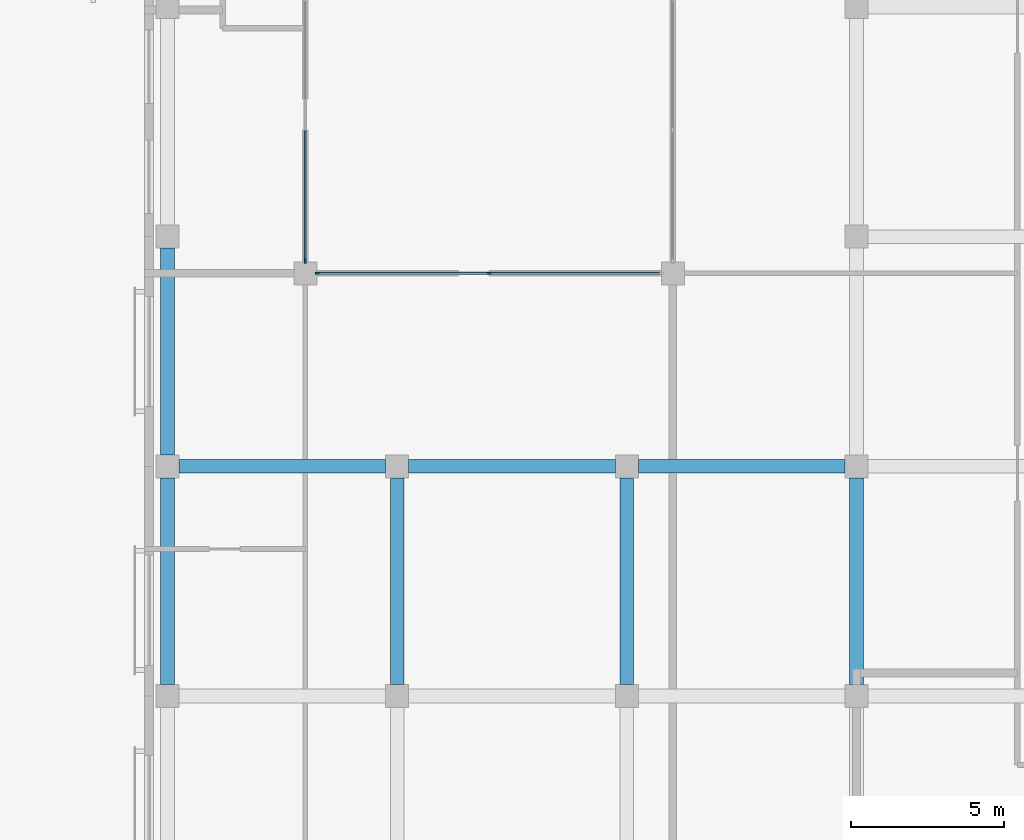
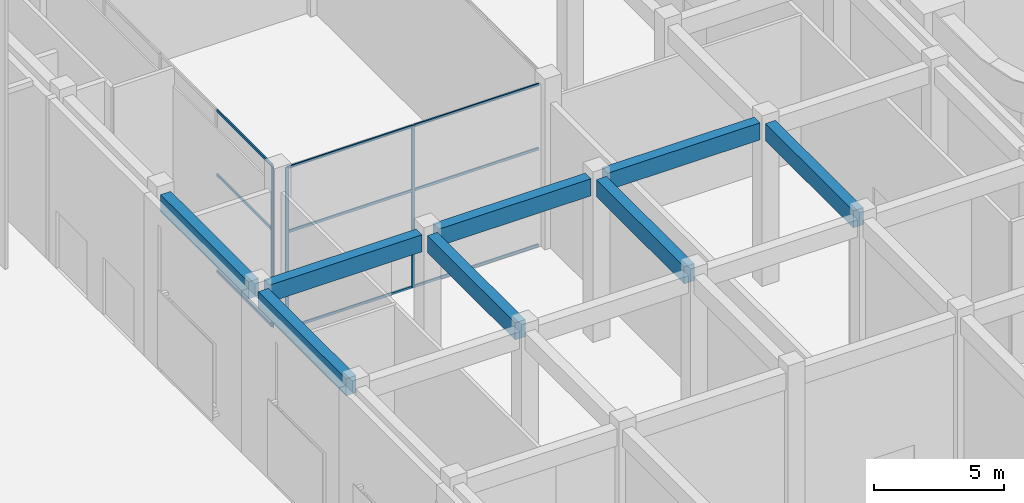
# One storey, part 7 of 64: 12 members, 8 beams, 2 elements without a shape of their own.
"""IFC4 building model written with IfcOpenShell, lengths in metres."""

from ifc_helpers import new_model, si_unit, direction, frame, origin, origin_2d, place, context, subcontext, project, spatial, rectangle, extrude, material, layer, layer_set, material_profile, profile_set, type_object, element, aggregate, save


model = new_model("IFC4")

# Units and contexts
model_context = context("Model", 3, precision=1e-05, world=origin(), true_north=direction((0.0, 1.0)))
body_context = subcontext(model_context, "Body", "Model", "MODEL_VIEW")
ifc_project = project(units=[si_unit("LENGTHUNIT", "METRE"), si_unit("AREAUNIT", "SQUARE_METRE"), si_unit("VOLUMEUNIT", "CUBIC_METRE"), si_unit("PLANEANGLEUNIT", "RADIAN"), si_unit("MASSUNIT", "GRAM", prefix="KILO")], contexts=[model_context])

# Site, building, storey
site_placement = place(None, origin())
site = spatial("IfcSite", under=ifc_project, at=site_placement, CompositionType="ELEMENT")
building_placement = place(site_placement, origin())
building = spatial("IfcBuilding", under=site, at=building_placement, Name="Tessera Arch", CompositionType="ELEMENT")
storey_placement = place(building_placement, origin())
storey = spatial("IfcBuildingStorey", under=building, at=storey_placement, Name="L00", CompositionType="ELEMENT", Elevation=0.0)

# Curtain wall, members
ifc_material_1 = material(Name="Aluminium and clear glass", Category="aluminium")
ifc_layer = layer(ifc_material_1, 0.1201171875)
ifc_layer_set = layer_set([ifc_layer], Name="Courtyard curtain wall")
curtain_wall_type = type_object("IfcCurtainWallType", Name="Courtyard curtain wall", PredefinedType="NOTDEFINED", material=ifc_layer_set)
curtain_wall_1_placement = place(storey_placement, origin())
curtain_wall_1 = element("IfcCurtainWall", 1, at=curtain_wall_1_placement, inside=storey, type_object=curtain_wall_type, Name="Courtyard curtain wall L00 1", PredefinedType="NOTDEFINED")
ifc_material_2 = material(Name="Aluminium alloy anodised", Category="aluminium")
ifc_material_profile_1 = material_profile(ifc_material_2, rectangle(XDim=0.06005859375, YDim=0.14990234375, at=origin_2d()), Name="Courtyard mullion")
ifc_profile_set_1 = profile_set([ifc_material_profile_1], Name="Aluminium alloy anodised")
member_type_1 = type_object("IfcMemberType", Name="Courtyard mullion", PredefinedType="MULLION", material=ifc_profile_set_1)
member_1_placement = place(storey_placement, frame((-26.89501953125, 12.0, 0.0), z_axis=(0.0, 0.0, 1.0), x_axis=(0.0, 1.0, 0.0)))
member_1 = element("IfcMember", 2, at=member_1_placement, type_object=member_type_1, Name="MCW1 mullion 1", PredefinedType="MULLION", context=body_context, shape_type="SweptSolid", body=[
    extrude(rectangle(XDim=0.06005859375, YDim=0.14990234375, at=origin_2d()), origin(), (0.0, 0.0, 1.0), 7.590087890625),
])
member_2_placement = place(storey_placement, frame((-21.300048828125, 12.0, 0.0), z_axis=(0.0, 0.0, 1.0), x_axis=(0.0, 1.0, 0.0)))
member_2 = element("IfcMember", 3, at=member_2_placement, type_object=member_type_1, Name="MCW1 mullion 2", PredefinedType="MULLION", context=body_context, shape_type="SweptSolid", body=[
    extrude(rectangle(XDim=0.06005859375, YDim=0.14990234375, at=origin_2d()), origin(), (0.0, 0.0, 1.0), 7.590087890625),
])

# Curtain wall, member
curtain_wall_2_placement = place(storey_placement, origin())
curtain_wall_2 = element("IfcCurtainWall", 4, at=curtain_wall_2_placement, inside=storey, type_object=curtain_wall_type, Name="Courtyard curtain wall L00 4", PredefinedType="NOTDEFINED")
member_3_placement = place(storey_placement, frame((-27.300048828125, 12.405029296875, 0.0), z_axis=(0.0, 0.0, 1.0), x_axis=(1.0, 0.0, 0.0)))
member_3 = element("IfcMember", 5, at=member_3_placement, type_object=member_type_1, Name="MCW1 mullion 5", PredefinedType="MULLION", context=body_context, shape_type="SweptSolid", body=[
    extrude(rectangle(XDim=0.06005859375, YDim=0.14990234375, at=origin_2d()), origin(), (0.0, 0.0, 1.0), 7.590087890625),
])

# Member
ifc_material_3 = material(Name="Aluminium alloy anodised", Category="aluminium")
ifc_material_profile_2 = material_profile(ifc_material_3, rectangle(XDim=0.06005859375, YDim=0.1201171875, at=origin_2d()), Name="Courtyard transom")
ifc_profile_set_2 = profile_set([ifc_material_profile_2], Name="Aluminium alloy anodised")
member_type_2 = type_object("IfcMemberType", Name="Courtyard transom", PredefinedType="USERDEFINED", material=ifc_profile_set_2)
member_4_placement = place(storey_placement, frame((-26.864990234375, 12.0, 0.030029296875), z_axis=(1.0, 0.0, 0.0), x_axis=(0.0, 1.0, 0.0)))
member_4 = element("IfcMember", 6, at=member_4_placement, type_object=member_type_2, Name="MCW1 transom 1.1", ObjectType="TRANSOM", PredefinedType="USERDEFINED", context=body_context, shape_type="SweptSolid", body=[
    extrude(rectangle(XDim=0.06005859375, YDim=0.1201171875, at=origin_2d()), origin(), (0.0, 0.0, 1.0), 5.534912109375),
])

member_5_placement = place(storey_placement, frame((-26.864990234375, 12.0, 4.553955078125), z_axis=(1.0, 0.0, 0.0), x_axis=(0.0, 1.0, 0.0)))
member_5 = element("IfcMember", 7, at=member_5_placement, type_object=member_type_2, Name="MCW1 transom 1.2", ObjectType="TRANSOM", PredefinedType="USERDEFINED", context=body_context, shape_type="SweptSolid", body=[
    extrude(rectangle(XDim=0.06005859375, YDim=0.1201171875, at=origin_2d()), origin(), (0.0, 0.0, 1.0), 5.534912109375),
])

member_6_placement = place(storey_placement, frame((-26.864990234375, 12.0, 7.56005859375), z_axis=(1.0, 0.0, 0.0), x_axis=(0.0, 1.0, 0.0)))
member_6 = element("IfcMember", 8, at=member_6_placement, type_object=member_type_2, Name="MCW1 transom 1.3", ObjectType="TRANSOM", PredefinedType="USERDEFINED", context=body_context, shape_type="SweptSolid", body=[
    extrude(rectangle(XDim=0.06005859375, YDim=0.1201171875, at=origin_2d()), origin(), (0.0, 0.0, 1.0), 5.534912109375),
])

member_7_placement = place(storey_placement, frame((-21.27001953125, 12.0, 0.030029296875), z_axis=(1.0, 0.0, 0.0), x_axis=(0.0, 1.0, 0.0)))
member_7 = element("IfcMember", 9, at=member_7_placement, type_object=member_type_2, Name="MCW1 transom 2.1", ObjectType="TRANSOM", PredefinedType="USERDEFINED", context=body_context, shape_type="SweptSolid", body=[
    extrude(rectangle(XDim=0.06005859375, YDim=0.1201171875, at=origin_2d()), origin(), (0.0, 0.0, 1.0), 5.534912109375),
])

member_8_placement = place(storey_placement, frame((-21.27001953125, 12.0, 4.553955078125), z_axis=(1.0, 0.0, 0.0), x_axis=(0.0, 1.0, 0.0)))
member_8 = element("IfcMember", 10, at=member_8_placement, type_object=member_type_2, Name="MCW1 transom 2.2", ObjectType="TRANSOM", PredefinedType="USERDEFINED", context=body_context, shape_type="SweptSolid", body=[
    extrude(rectangle(XDim=0.06005859375, YDim=0.1201171875, at=origin_2d()), origin(), (0.0, 0.0, 1.0), 5.534912109375),
])

member_9_placement = place(storey_placement, frame((-21.27001953125, 12.0, 7.56005859375), z_axis=(1.0, 0.0, 0.0), x_axis=(0.0, 1.0, 0.0)))
member_9 = element("IfcMember", 11, at=member_9_placement, type_object=member_type_2, Name="MCW1 transom 2.3", ObjectType="TRANSOM", PredefinedType="USERDEFINED", context=body_context, shape_type="SweptSolid", body=[
    extrude(rectangle(XDim=0.06005859375, YDim=0.1201171875, at=origin_2d()), origin(), (0.0, 0.0, 1.0), 5.534912109375),
])

aggregate(curtain_wall_1, [member_1, member_2, member_4, member_5, member_6, member_7, member_8, member_9])

member_10_placement = place(storey_placement, frame((-27.300048828125, 16.657470703125, 0.030029296875), z_axis=(0.0, -1.0, 0.0), x_axis=(1.0, 0.0, 0.0)))
member_10 = element("IfcMember", 12, at=member_10_placement, type_object=member_type_2, Name="MCW1 transom 4.1", ObjectType="TRANSOM", PredefinedType="USERDEFINED", context=body_context, shape_type="SweptSolid", body=[
    extrude(rectangle(XDim=0.06005859375, YDim=0.1201171875, at=origin_2d()), origin(), (0.0, 0.0, 1.0), 4.222412109375),
])

member_11_placement = place(storey_placement, frame((-27.300048828125, 16.657470703125, 4.553955078125), z_axis=(0.0, -1.0, 0.0), x_axis=(1.0, 0.0, 0.0)))
member_11 = element("IfcMember", 13, at=member_11_placement, type_object=member_type_2, Name="MCW1 transom 4.2", ObjectType="TRANSOM", PredefinedType="USERDEFINED", context=body_context, shape_type="SweptSolid", body=[
    extrude(rectangle(XDim=0.06005859375, YDim=0.1201171875, at=origin_2d()), origin(), (0.0, 0.0, 1.0), 4.222412109375),
])

member_12_placement = place(storey_placement, frame((-27.300048828125, 16.657470703125, 7.56005859375), z_axis=(0.0, -1.0, 0.0), x_axis=(1.0, 0.0, 0.0)))
member_12 = element("IfcMember", 14, at=member_12_placement, type_object=member_type_2, Name="MCW1 transom 4.3", ObjectType="TRANSOM", PredefinedType="USERDEFINED", context=body_context, shape_type="SweptSolid", body=[
    extrude(rectangle(XDim=0.06005859375, YDim=0.1201171875, at=origin_2d()), origin(), (0.0, 0.0, 1.0), 4.222412109375),
])

aggregate(curtain_wall_2, [member_3, member_10, member_11, member_12])

# Beams
ifc_material_4 = material(Name="Concrete C40/50", Category="concrete")
ifc_material_profile_3 = material_profile(ifc_material_4, rectangle(XDim=0.449951171875, YDim=0.800048828125, at=origin_2d()), Name="Museum beam 450 x 800 Concrete C40/50")
ifc_profile_set_3 = profile_set([ifc_material_profile_3], Name="Concrete C40/50")
beam_type = type_object("IfcBeamType", Name="Museum beam 450 x 800 Concrete C40/50", PredefinedType="BEAM", material=ifc_profile_set_3)
for number, where, z_axis, x_axis, name in (
    (15, (-31.800048828125, -1.425048828125, 7.18994140625), (0.0, 1.0, 0.0), (-1.0, 0.0, 0.0), "Museum beam L00 4"),
    (16, (-31.800048828125, 6.074951171875, 7.18994140625), (0.0, 1.0, 0.0), (-1.0, 0.0, 0.0), "Museum beam L00 5"),
    (17, (-24.300048828125, -1.425048828125, 7.18994140625), (0.0, 1.0, 0.0), (-1.0, 0.0, 0.0), "Museum beam L00 12"),
    (18, (-16.800048828125, -1.425048828125, 7.18994140625), (0.0, 1.0, 0.0), (-1.0, 0.0, 0.0), "Museum beam L00 17"),
    (19, (-9.300048828125, -1.425048828125, 7.18994140625), (0.0, 1.0, 0.0), (-1.0, 0.0, 0.0), "Museum beam L00 26"),
    (20, (-31.425048828125, 5.699951171875, 7.18994140625), (1.0, 0.0, 0.0), (0.0, 1.0, 0.0), "Museum beam L00 69"),
    (21, (-23.925048828125, 5.699951171875, 7.18994140625), (1.0, 0.0, 0.0), (0.0, 1.0, 0.0), "Museum beam L00 70"),
    (22, (-16.425048828125, 5.699951171875, 7.18994140625), (1.0, 0.0, 0.0), (0.0, 1.0, 0.0), "Museum beam L00 71"),
):
    element("IfcBeam", number, at=place(storey_placement, frame(where, z_axis=z_axis, x_axis=x_axis)), inside=storey, type_object=beam_type, Name=name, PredefinedType="BEAM", context=body_context, shape_type="SweptSolid", body=[
        extrude(rectangle(XDim=0.449951171875, YDim=0.800048828125, at=origin_2d()), origin(), (0.0, 0.0, 1.0), 6.75),
    ])

save(model, "model.ifc")
